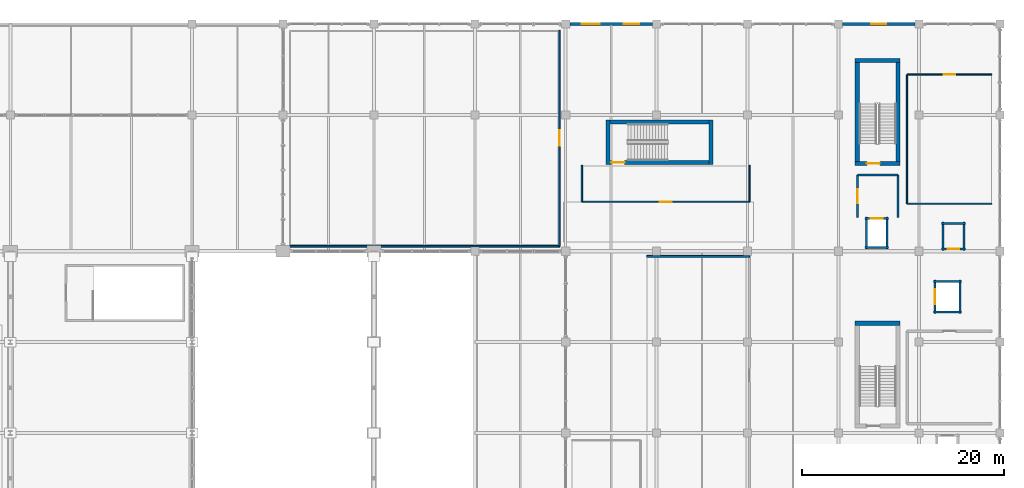
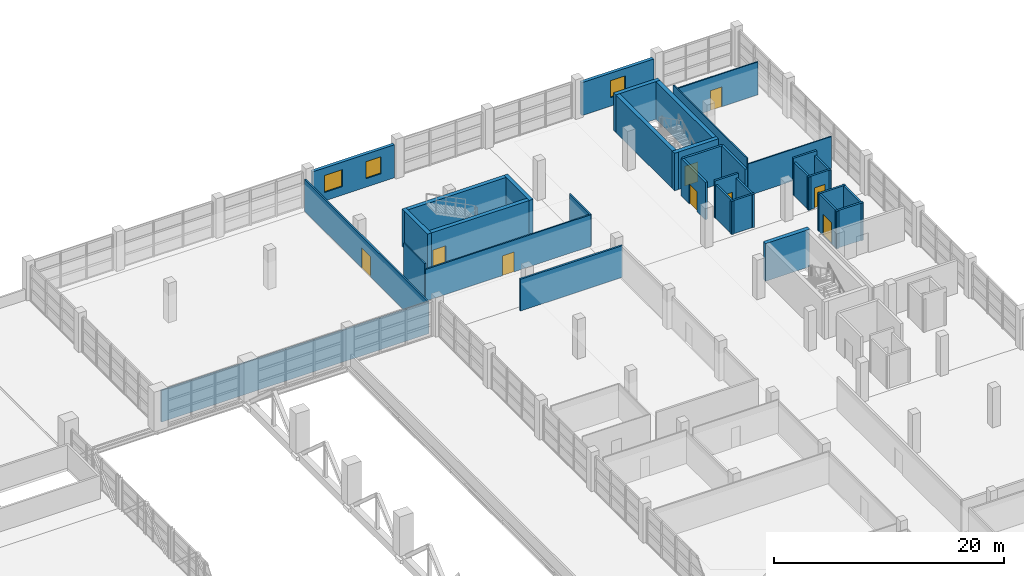
# One storey, part 123 of 136: 35 walls, 9 doors, 3 windows, 12 openings.
"""IFC4 building model written with IfcOpenShell, lengths in metres."""

from ifc_helpers import new_model, si_unit, direction, frame, frame_2d, origin, place, context, subcontext, project, spatial, rectangle, extrude, material, layer, layer_set, type_object, element, fill, save


model = new_model("IFC4")

# Units and contexts
model_context = context("Model", 3, precision=1e-05, world=origin(), true_north=direction((0.0, 1.0)))
body_context = subcontext(model_context, "Body", "Model", "MODEL_VIEW")
ifc_project = project(units=[si_unit("LENGTHUNIT", "METRE"), si_unit("AREAUNIT", "SQUARE_METRE"), si_unit("VOLUMEUNIT", "CUBIC_METRE"), si_unit("PLANEANGLEUNIT", "RADIAN"), si_unit("MASSUNIT", "GRAM", prefix="KILO")], contexts=[model_context])

# Site, building, storey
site_placement = place(None, origin())
site = spatial("IfcSite", under=ifc_project, at=site_placement, CompositionType="ELEMENT")
building_placement = place(site_placement, origin())
building = spatial("IfcBuilding", under=site, at=building_placement, Name="Chuanluo Vaults Station", CompositionType="ELEMENT")
storey_placement = place(building_placement, frame((0.0, 0.0, 6.60009765625)))
storey = spatial("IfcBuildingStorey", under=building, at=storey_placement, Name="L01", CompositionType="ELEMENT", Elevation=6.60009765625)

# Walls
ifc_material_1 = material(Name="Concrete C50", Category="concrete")
ifc_layer_1 = layer(ifc_material_1, 0.39990234375)
ifc_layer_set_1 = layer_set([ifc_layer_1], Name="Concrete C50")
wall_type_1 = type_object("IfcWallType", Name="WL-COR-400", PredefinedType="SHEAR", material=ifc_layer_set_1)
wall_1_placement = place(storey_placement, frame((178.08740234375, 96.37255859375, 0.0), z_axis=(0.0, 0.0, 1.0), x_axis=(-1.0, 0.0, 0.0)))
element("IfcWall", 1, at=wall_1_placement, inside=storey, type_object=wall_type_1, Name="Core K1 far shear wall", PredefinedType="SHEAR", context=body_context, shape_type="SweptSolid", body=[
    extrude(rectangle(XDim=4.419921875, YDim=0.39990234375, at=frame_2d((2.2099609375, 0.0))), origin(), (0.0, 0.0, 1.0), 3.97998046875),
])
for number, where, z_axis, x_axis, name in (
    (2, (177.887451171875, 111.97509765625, 0.0), (0.0, 0.0, 1.0), (0.0, 1.0, 0.0), "Core K2 left shear wall"),
    (3, (173.867431640625, 122.572509765625, 0.0), (0.0, 0.0, 1.0), (0.0, -1.0, 0.0), "Core K2 right shear wall"),
):
    element("IfcWall", number, at=place(storey_placement, frame(where, z_axis=z_axis, x_axis=x_axis)), inside=storey, type_object=wall_type_1, Name=name, PredefinedType="SHEAR", context=body_context, shape_type="SweptSolid", body=[
        extrude(rectangle(XDim=10.597412109375, YDim=0.39990234375, at=frame_2d((5.298828125, 0.0))), origin(), (0.0, 0.0, 1.0), 3.97998046875),
    ])
wall_2_placement = place(storey_placement, frame((178.08740234375, 122.37255859375, 0.0), z_axis=(0.0, 0.0, 1.0), x_axis=(-1.0, 0.0, 0.0)))
element("IfcWall", 4, at=wall_2_placement, inside=storey, type_object=wall_type_1, Name="Core K2 far shear wall", PredefinedType="SHEAR", context=body_context, shape_type="SweptSolid", body=[
    extrude(rectangle(XDim=4.419921875, YDim=0.39990234375, at=frame_2d((2.2099609375, 0.0))), origin(), (0.0, 0.0, 1.0), 3.97998046875),
])

# Wall, opening, door
wall_3_placement = place(storey_placement, frame((173.66748046875, 112.175048828125, 0.0), z_axis=(0.0, 0.0, 1.0), x_axis=(1.0, 0.0, 0.0)))
wall_3 = element("IfcWall", 5, at=wall_3_placement, inside=storey, type_object=wall_type_1, Name="Core K2 near shear wall", PredefinedType="SHEAR", context=body_context, shape_type="SweptSolid", body=[
    extrude(rectangle(XDim=4.419921875, YDim=0.39990234375, at=frame_2d((2.2099609375, 0.0))), origin(), (0.0, 0.0, 1.0), 3.97998046875),
])
opening_1_placement = place(wall_3_placement, frame((1.14990234375, 0.0, 0.0)))
opening_1 = element("IfcOpeningElement", 6, at=opening_1_placement, cuts=wall_3, Name="Opening FD-05", PredefinedType="OPENING", context=body_context, shape_type="SweptSolid", body=[
    extrude(rectangle(XDim=1.300048828125, YDim=2.10009765625, at=frame_2d((0.64990234375, 1.050048828125))), frame((0.0, 0.20995, 0.0), z_axis=(0.0, -1.0, 0.0), x_axis=(1.0, 0.0, 0.0)), (0.0, 0.0, 1.0), 0.4199),
])
ifc_material_2 = material(Name="Fire-rated steel leaf", Category="steel")
door_type_1 = type_object("IfcDoorType", Name="DR-FIR-1300x2100", OperationType="NOTDEFINED", PredefinedType="DOOR", material=ifc_material_2)
door_1_placement = place(opening_1_placement, origin())
door_1 = element("IfcDoor", 7, at=door_1_placement, inside=storey, type_object=door_type_1, Name="D-067 Stair ST-02 fire door", OperationType="SINGLE_SWING_RIGHT", OverallHeight=2.10009765625, OverallWidth=1.300048828125, PredefinedType="DOOR", context=body_context, shape_type="SweptSolid", body=[
    extrude(rectangle(XDim=1.300048828125, YDim=2.10009765625, at=frame_2d((0.64990234375, 1.050048828125))), frame((0.0, 0.02490234375, 0.0), z_axis=(0.0, -1.0, 0.0), x_axis=(1.0, 0.0, 0.0)), (0.0, 0.0, 1.0), 0.050048828125),
])
fill(opening_1, door_1)

wall_4_placement = place(storey_placement, frame((148.97509765625, 112.300048828125, 0.0), z_axis=(0.0, 0.0, 1.0), x_axis=(1.0, 0.0, 0.0)))
wall_4 = element("IfcWall", 8, at=wall_4_placement, inside=storey, type_object=wall_type_1, Name="Core K3 left shear wall", PredefinedType="SHEAR", context=body_context, shape_type="SweptSolid", body=[
    extrude(rectangle(XDim=10.597412109375, YDim=0.39990234375, at=frame_2d((5.298828125, 0.0))), origin(), (0.0, 0.0, 1.0), 3.97998046875),
])
opening_2_placement = place(wall_4_placement, frame((0.550048828125, 0.0, 0.0)))
opening_2 = element("IfcOpeningElement", 9, at=opening_2_placement, cuts=wall_4, Name="Opening FD-05", PredefinedType="OPENING", context=body_context, shape_type="SweptSolid", body=[
    extrude(rectangle(XDim=1.300048828125, YDim=2.10009765625, at=frame_2d((0.64990234375, 1.050048828125))), frame((0.0, 0.20995, 0.0), z_axis=(0.0, -1.0, 0.0), x_axis=(1.0, 0.0, 0.0)), (0.0, 0.0, 1.0), 0.4199),
])
door_2_placement = place(opening_2_placement, origin())
door_2 = element("IfcDoor", 10, at=door_2_placement, inside=storey, type_object=door_type_1, Name="D-074 Stair ST-03 fire door", OperationType="SINGLE_SWING_LEFT", OverallHeight=2.10009765625, OverallWidth=1.300048828125, PredefinedType="DOOR", context=body_context, shape_type="SweptSolid", body=[
    extrude(rectangle(XDim=1.300048828125, YDim=2.10009765625, at=frame_2d((0.64990234375, 1.050048828125))), frame((0.0, 0.02490234375, 0.0), z_axis=(0.0, -1.0, 0.0), x_axis=(1.0, 0.0, 0.0)), (0.0, 0.0, 1.0), 0.050048828125),
])
fill(opening_2, door_2)

# Walls
wall_5_placement = place(storey_placement, frame((159.572509765625, 116.320068359375, 0.0), z_axis=(0.0, 0.0, 1.0), x_axis=(-1.0, 0.0, 0.0)))
element("IfcWall", 11, at=wall_5_placement, inside=storey, type_object=wall_type_1, Name="Core K3 right shear wall", PredefinedType="SHEAR", context=body_context, shape_type="SweptSolid", body=[
    extrude(rectangle(XDim=10.597412109375, YDim=0.39990234375, at=frame_2d((5.298828125, 0.0))), origin(), (0.0, 0.0, 1.0), 3.97998046875),
])
for number, where, z_axis, x_axis, name in (
    (12, (159.37255859375, 112.10009765625, 0.0), (0.0, 0.0, 1.0), (0.0, 1.0, 0.0), "Core K3 far shear wall"),
    (13, (149.175048828125, 116.52001953125, 0.0), (0.0, 0.0, 1.0), (0.0, -1.0, 0.0), "Core K3 near shear wall"),
):
    element("IfcWall", number, at=place(storey_placement, frame(where, z_axis=z_axis, x_axis=x_axis)), inside=storey, type_object=wall_type_1, Name=name, PredefinedType="SHEAR", context=body_context, shape_type="SweptSolid", body=[
        extrude(rectangle(XDim=4.419921875, YDim=0.39990234375, at=frame_2d((2.2099609375, 0.0))), origin(), (0.0, 0.0, 1.0), 3.97998046875),
    ])

# Wall, openings, windows
ifc_material_3 = material(Name="Concrete C40", Category="concrete")
ifc_layer_2 = layer(ifc_material_3, 0.320068359375)
ifc_layer_set_2 = layer_set([ifc_layer_2], Name="Concrete C40")
wall_type_2 = type_object("IfcWallType", Name="WL-EXT-320", PredefinedType="SOLIDWALL", material=ifc_layer_set_2)
wall_6_placement = place(storey_placement, frame((145.39990234375, 126.0, 0.0), z_axis=(0.0, 0.0, 1.0), x_axis=(1.0, 0.0, 0.0)))
wall_6 = element("IfcWall", 14, at=wall_6_placement, inside=storey, type_object=wall_type_2, Name="L01 exterior punched wall 02", PredefinedType="SOLIDWALL", context=body_context, shape_type="SweptSolid", body=[
    extrude(rectangle(XDim=8.2001953125, YDim=0.320068359375, at=frame_2d((4.10009765625, 0.0))), origin(), (0.0, 0.0, 1.0), 3.494873046875),
])
opening_3_placement = place(wall_6_placement, frame((1.18994140625, 0.0, 0.89990234375)))
opening_3 = element("IfcOpeningElement", 15, at=opening_3_placement, cuts=wall_6, Name="Opening W-03", PredefinedType="OPENING", context=body_context, shape_type="SweptSolid", body=[
    extrude(rectangle(XDim=1.800048828125, YDim=1.800048828125, at=frame_2d((0.89990234375, 0.89990234375))), frame((0.0, 0.17016, 0.0), z_axis=(0.0, -1.0, 0.0), x_axis=(1.0, 0.0, 0.0)), (0.0, 0.0, 1.0), 0.34007),
])
opening_4_placement = place(wall_6_placement, frame((5.360107421875, 0.0, 0.89990234375)))
opening_4 = element("IfcOpeningElement", 16, at=opening_4_placement, cuts=wall_6, Name="Opening W-04", PredefinedType="OPENING", context=body_context, shape_type="SweptSolid", body=[
    extrude(rectangle(XDim=1.5, YDim=1.800048828125, at=frame_2d((0.75, 0.89990234375))), frame((0.0, 0.17016, 0.0), z_axis=(0.0, -1.0, 0.0), x_axis=(1.0, 0.0, 0.0)), (0.0, 0.0, 1.0), 0.34007),
])
ifc_material_4 = material(Name="Double-silver Low-E laminated glass", Category="glass")
window_type_1 = type_object("IfcWindowType", Name="WN-OPS-1500x1800", PartitioningType="SINGLE_PANEL", PredefinedType="WINDOW", material=ifc_material_4)
window_1_placement = place(opening_4_placement, origin())
window_1 = element("IfcWindow", 17, at=window_1_placement, inside=storey, type_object=window_type_1, Name="W-065 L01 facade window", OverallHeight=1.800048828125, OverallWidth=1.5, PartitioningType="SINGLE_PANEL", PredefinedType="WINDOW", context=body_context, shape_type="SweptSolid", body=[
    extrude(rectangle(XDim=1.5, YDim=1.800048828125, at=frame_2d((0.75, 0.89990234375))), frame((0.0, 0.030029296875, 0.0), z_axis=(0.0, -1.0, 0.0), x_axis=(1.0, 0.0, 0.0)), (0.0, 0.0, 1.0), 0.06005859375),
])
fill(opening_4, window_1)
ifc_material_5 = material(Name="Double-silver Low-E laminated glass", Category="glass")
window_type_2 = type_object("IfcWindowType", Name="WN-OPS-1800x1800", PartitioningType="SINGLE_PANEL", PredefinedType="WINDOW", material=ifc_material_5)
window_2_placement = place(opening_3_placement, origin())
window_2 = element("IfcWindow", 18, at=window_2_placement, inside=storey, type_object=window_type_2, Name="W-064 L01 facade window", OverallHeight=1.800048828125, OverallWidth=1.800048828125, PartitioningType="SINGLE_PANEL", PredefinedType="WINDOW", context=body_context, shape_type="SweptSolid", body=[
    extrude(rectangle(XDim=1.800048828125, YDim=1.800048828125, at=frame_2d((0.89990234375, 0.89990234375))), frame((0.0, 0.030029296875, 0.0), z_axis=(0.0, -1.0, 0.0), x_axis=(1.0, 0.0, 0.0)), (0.0, 0.0, 1.0), 0.06005859375),
])
fill(opening_3, window_2)

# Wall, opening, window
wall_7_placement = place(storey_placement, frame((172.39990234375, 126.0, 0.0), z_axis=(0.0, 0.0, 1.0), x_axis=(1.0, 0.0, 0.0)))
wall_7 = element("IfcWall", 19, at=wall_7_placement, inside=storey, type_object=wall_type_2, Name="L01 exterior punched wall 03", PredefinedType="SOLIDWALL", context=body_context, shape_type="SweptSolid", body=[
    extrude(rectangle(XDim=7.2001953125, YDim=0.320068359375, at=frame_2d((3.60009765625, 0.0))), origin(), (0.0, 0.0, 1.0), 3.494873046875),
])
opening_5_placement = place(wall_7_placement, frame((2.85009765625, 0.0, 0.89990234375)))
opening_5 = element("IfcOpeningElement", 20, at=opening_5_placement, cuts=wall_7, Name="Opening W-04", PredefinedType="OPENING", context=body_context, shape_type="SweptSolid", body=[
    extrude(rectangle(XDim=1.5, YDim=1.800048828125, at=frame_2d((0.75, 0.89990234375))), frame((0.0, 0.17016, 0.0), z_axis=(0.0, -1.0, 0.0), x_axis=(1.0, 0.0, 0.0)), (0.0, 0.0, 1.0), 0.34007),
])
window_3_placement = place(opening_5_placement, origin())
window_3 = element("IfcWindow", 21, at=window_3_placement, inside=storey, type_object=window_type_1, Name="W-066 L01 facade window", OverallHeight=1.800048828125, OverallWidth=1.5, PartitioningType="SINGLE_PANEL", PredefinedType="WINDOW", context=body_context, shape_type="SweptSolid", body=[
    extrude(rectangle(XDim=1.5, YDim=1.800048828125, at=frame_2d((0.75, 0.89990234375))), frame((0.0, 0.030029296875, 0.0), z_axis=(0.0, -1.0, 0.0), x_axis=(1.0, 0.0, 0.0)), (0.0, 0.0, 1.0), 0.06005859375),
])
fill(opening_5, window_3)

# Wall
ifc_material_6 = material(Name="Concrete C40", Category="concrete")
ifc_layer_3 = layer(ifc_material_6, 0.219970703125)
ifc_layer_set_3 = layer_set([ifc_layer_3], Name="Concrete C40")
wall_type_3 = type_object("IfcWallType", Name="WL-FIR-220", PredefinedType="SOLIDWALL", material=ifc_layer_set_3)
wall_8_placement = place(storey_placement, frame((173.89990234375, 111.050048828125, 0.0), z_axis=(0.0, 0.0, 1.0), x_axis=(1.0, 0.0, 0.0)))
element("IfcWall", 22, at=wall_8_placement, inside=storey, type_object=wall_type_3, Name="L01-FFL-K2 Firefighting Lift Lobby FFL-02 L01 N partition", PredefinedType="SOLIDWALL", context=body_context, shape_type="SweptSolid", body=[
    extrude(rectangle(XDim=4.0, YDim=0.219970703125, at=frame_2d((2.0, 0.0))), origin(), (0.0, 0.0, 1.0), 3.954833984375),
])

# Wall, opening, door
wall_9_placement = place(storey_placement, frame((173.89990234375, 106.85009765625, 0.0), z_axis=(0.0, 0.0, 1.0), x_axis=(0.0, 1.0, 0.0)))
wall_9 = element("IfcWall", 23, at=wall_9_placement, inside=storey, type_object=wall_type_3, Name="L01-FFL-K2 Firefighting Lift Lobby FFL-02 L01 W partition", PredefinedType="SOLIDWALL", context=body_context, shape_type="SweptSolid", body=[
    extrude(rectangle(XDim=4.199951171875, YDim=0.219970703125, at=frame_2d((2.10009765625, 0.0))), origin(), (0.0, 0.0, 1.0), 3.954833984375),
])
opening_6_placement = place(wall_9_placement, frame((1.39990234375, 0.0, 0.0)))
opening_6 = element("IfcOpeningElement", 24, at=opening_6_placement, cuts=wall_9, Name="Opening FD-04", PredefinedType="OPENING", context=body_context, shape_type="SweptSolid", body=[
    extrude(rectangle(XDim=1.39990234375, YDim=2.10009765625, at=frame_2d((0.699951171875, 1.050048828125))), frame((0.0, 0.11986, 0.0), z_axis=(0.0, -1.0, 0.0), x_axis=(1.0, 0.0, 0.0)), (0.0, 0.0, 1.0), 0.23997),
])
ifc_material_7 = material(Name="Fire-rated steel leaf", Category="steel")
door_type_2 = type_object("IfcDoorType", Name="DR-FIR-1400x2100", OperationType="NOTDEFINED", PredefinedType="DOOR", material=ifc_material_7)
door_3_placement = place(opening_6_placement, origin())
door_3 = element("IfcDoor", 25, at=door_3_placement, inside=storey, type_object=door_type_2, Name="D-276 Firefighting Lift Lobby FFL-02 L01 door", OperationType="SINGLE_SWING_LEFT", OverallHeight=2.10009765625, OverallWidth=1.39990234375, PredefinedType="DOOR", context=body_context, shape_type="SweptSolid", body=[
    extrude(rectangle(XDim=1.39990234375, YDim=2.10009765625, at=frame_2d((0.699951171875, 1.050048828125))), frame((0.0, 0.02490234375, 0.0), z_axis=(0.0, -1.0, 0.0), x_axis=(1.0, 0.0, 0.0)), (0.0, 0.0, 1.0), 0.050048828125),
])
fill(opening_6, door_3)

# Walls
wall_10_placement = place(storey_placement, frame((177.89990234375, 111.050048828125, 0.0), z_axis=(0.0, 0.0, 1.0), x_axis=(0.0, -1.0, 0.0)))
element("IfcWall", 26, at=wall_10_placement, inside=storey, type_object=wall_type_3, Name="L01-FFL-K2 Firefighting Lift Lobby FFL-02 L01 E partition", PredefinedType="SOLIDWALL", context=body_context, shape_type="SweptSolid", body=[
    extrude(rectangle(XDim=4.199951171875, YDim=0.219970703125, at=frame_2d((2.10009765625, 0.0))), origin(), (0.0, 0.0, 1.0), 3.954833984375),
])
ifc_material_8 = material(Name="Masonry blockwork M10", Category="masonry")
ifc_layer_4 = layer(ifc_material_8, 0.1201171875)
ifc_layer_set_4 = layer_set([ifc_layer_4], Name="Masonry blockwork M10")
wall_type_4 = type_object("IfcWallType", Name="WL-PRT-120", PredefinedType="PARTITIONING", material=ifc_layer_set_4)
wall_11_placement = place(storey_placement, frame((187.199951171875, 108.199951171875, 0.0), z_axis=(0.0, 0.0, 1.0), x_axis=(-1.0, 0.0, 0.0)))
element("IfcWall", 27, at=wall_11_placement, inside=storey, type_object=wall_type_4, Name="L01-23 North-East Crew Rostering Suite S partition", PredefinedType="PARTITIONING", context=body_context, shape_type="SweptSolid", body=[
    extrude(rectangle(XDim=8.39990234375, YDim=0.1201171875, at=frame_2d((4.199951171875, 0.0))), origin(), (0.0, 0.0, 1.0), 3.35498046875),
])

# Wall, opening, door
wall_12_placement = place(storey_placement, frame((178.800048828125, 121.0, 0.0), z_axis=(0.0, 0.0, 1.0), x_axis=(1.0, 0.0, 0.0)))
wall_12 = element("IfcWall", 28, at=wall_12_placement, inside=storey, type_object=wall_type_4, Name="L01-23 North-East Crew Rostering Suite N partition", PredefinedType="PARTITIONING", context=body_context, shape_type="SweptSolid", body=[
    extrude(rectangle(XDim=8.39990234375, YDim=0.1201171875, at=frame_2d((4.199951171875, 0.0))), origin(), (0.0, 0.0, 1.0), 3.494873046875),
])
opening_7_placement = place(wall_12_placement, frame((3.625, 0.0, 0.0)))
opening_7 = element("IfcOpeningElement", 29, at=opening_7_placement, cuts=wall_12, Name="Opening D-I06", PredefinedType="OPENING", context=body_context, shape_type="SweptSolid", body=[
    extrude(rectangle(XDim=1.14990234375, YDim=2.10009765625, at=frame_2d((0.574951171875, 1.050048828125))), frame((0.0, 0.07006, 0.0), z_axis=(0.0, -1.0, 0.0), x_axis=(1.0, 0.0, 0.0)), (0.0, 0.0, 1.0), 0.14012),
])
ifc_material_9 = material(Name="Anodised aluminium 6063-T6", Category="aluminium")
door_type_3 = type_object("IfcDoorType", Name="DR-INT-1150x2100", OperationType="NOTDEFINED", PredefinedType="DOOR", material=ifc_material_9)
door_4_placement = place(opening_7_placement, origin())
door_4 = element("IfcDoor", 30, at=door_4_placement, inside=storey, type_object=door_type_3, Name="D-196 North-East Crew Rostering Suite door", OperationType="SINGLE_SWING_LEFT", OverallHeight=2.10009765625, OverallWidth=1.14990234375, PredefinedType="DOOR", context=body_context, shape_type="SweptSolid", body=[
    extrude(rectangle(XDim=1.14990234375, YDim=2.10009765625, at=frame_2d((0.574951171875, 1.050048828125))), frame((0.0, 0.02490234375, 0.0), z_axis=(0.0, -1.0, 0.0), x_axis=(1.0, 0.0, 0.0)), (0.0, 0.0, 1.0), 0.050048828125),
])
fill(opening_7, door_4)

# Wall
wall_13_placement = place(storey_placement, frame((178.800048828125, 108.199951171875, 0.0), z_axis=(0.0, 0.0, 1.0), x_axis=(0.0, 1.0, 0.0)))
element("IfcWall", 31, at=wall_13_placement, inside=storey, type_object=wall_type_4, Name="L01-23 North-East Crew Rostering Suite W partition", PredefinedType="PARTITIONING", context=body_context, shape_type="SweptSolid", body=[
    extrude(rectangle(XDim=12.800048828125, YDim=0.1201171875, at=frame_2d((6.39990234375, 0.0))), origin(), (0.0, 0.0, 1.0), 3.954833984375),
])

# Wall, opening, door
ifc_material_10 = material(Name="Autoclaved aerated concrete blockwork MU10", Category="masonry")
ifc_layer_5 = layer(ifc_material_10, 0.139892578125)
ifc_layer_set_5 = layer_set([ifc_layer_5], Name="Autoclaved aerated concrete blockwork MU10")
wall_type_5 = type_object("IfcWallType", Name="WL-PRT-140", PredefinedType="PARTITIONING", material=ifc_layer_set_5)
wall_14_placement = place(storey_placement, frame((163.199951171875, 108.39990234375, 0.0), z_axis=(0.0, 0.0, 1.0), x_axis=(-1.0, 0.0, 0.0)))
wall_14 = element("IfcWall", 32, at=wall_14_placement, inside=storey, type_object=wall_type_5, Name="L01-21 North Ticketing Accounting Office S partition", PredefinedType="PARTITIONING", context=body_context, shape_type="SweptSolid", body=[
    extrude(rectangle(XDim=16.599853515625, YDim=0.139892578125, at=frame_2d((8.2998046875, 0.0))), origin(), (0.0, 0.0, 1.0), 3.35498046875),
])
opening_8_placement = place(wall_14_placement, frame((7.72509765625, 0.0, 0.0)))
opening_8 = element("IfcOpeningElement", 33, at=opening_8_placement, cuts=wall_14, Name="Opening D-I06", PredefinedType="OPENING", context=body_context, shape_type="SweptSolid", body=[
    extrude(rectangle(XDim=1.14990234375, YDim=2.10009765625, at=frame_2d((0.574951171875, 1.050048828125))), frame((0.0, 0.07982, 0.0), z_axis=(0.0, -1.0, 0.0), x_axis=(1.0, 0.0, 0.0)), (0.0, 0.0, 1.0), 0.15989),
])
door_5_placement = place(opening_8_placement, origin())
door_5 = element("IfcDoor", 34, at=door_5_placement, inside=storey, type_object=door_type_3, Name="D-194 North Ticketing Accounting Office door", OperationType="SINGLE_SWING_LEFT", OverallHeight=2.10009765625, OverallWidth=1.14990234375, PredefinedType="DOOR", context=body_context, shape_type="SweptSolid", body=[
    extrude(rectangle(XDim=1.14990234375, YDim=2.10009765625, at=frame_2d((0.574951171875, 1.050048828125))), frame((0.0, 0.02490234375, 0.0), z_axis=(0.0, -1.0, 0.0), x_axis=(1.0, 0.0, 0.0)), (0.0, 0.0, 1.0), 0.050048828125),
])
fill(opening_8, door_5)

# Walls
wall_15_placement = place(storey_placement, frame((146.60009765625, 108.39990234375, 0.0), z_axis=(0.0, 0.0, 1.0), x_axis=(0.0, 1.0, 0.0)))
element("IfcWall", 35, at=wall_15_placement, inside=storey, type_object=wall_type_5, Name="L01-21 North Ticketing Accounting Office W partition", PredefinedType="PARTITIONING", context=body_context, shape_type="SweptSolid", body=[
    extrude(rectangle(XDim=3.60009765625, YDim=0.139892578125, at=frame_2d((1.800048828125, 0.0))), origin(), (0.0, 0.0, 1.0), 3.954833984375),
])
wall_16_placement = place(storey_placement, frame((163.199951171875, 112.0, 0.0), z_axis=(0.0, 0.0, 1.0), x_axis=(0.0, -1.0, 0.0)))
element("IfcWall", 36, at=wall_16_placement, inside=storey, type_object=wall_type_5, Name="L01-21 North Ticketing Accounting Office E partition", PredefinedType="PARTITIONING", context=body_context, shape_type="SweptSolid", body=[
    extrude(rectangle(XDim=3.60009765625, YDim=0.139892578125, at=frame_2d((1.800048828125, 0.0))), origin(), (0.0, 0.0, 1.0), 3.35498046875),
])
ifc_material_11 = material(Name="Autoclaved aerated concrete blockwork MU10", Category="masonry")
ifc_layer_6 = layer(ifc_material_11, 0.159912109375)
ifc_layer_set_6 = layer_set([ifc_layer_6], Name="Autoclaved aerated concrete blockwork MU10")
wall_type_6 = type_object("IfcWallType", Name="WL-PRT-160", PredefinedType="PARTITIONING", material=ifc_layer_set_6)
wall_17_placement = place(storey_placement, frame((144.39990234375, 104.0, 0.0), z_axis=(0.0, 0.0, 1.0), x_axis=(-1.0, 0.0, 0.0)))
element("IfcWall", 37, at=wall_17_placement, inside=storey, type_object=wall_type_6, Name="L01-05 Business Class Quiet Lounge S partition", PredefinedType="PARTITIONING", context=body_context, shape_type="SweptSolid", body=[
    extrude(rectangle(XDim=26.7998046875, YDim=0.159912109375, at=frame_2d((13.39990234375, 0.0))), origin(), (0.0, 0.0, 1.0), 3.35498046875),
])

# Wall, opening, door
wall_18_placement = place(storey_placement, frame((144.39990234375, 125.39990234375, 0.0), z_axis=(0.0, 0.0, 1.0), x_axis=(0.0, -1.0, 0.0)))
wall_18 = element("IfcWall", 38, at=wall_18_placement, inside=storey, type_object=wall_type_6, Name="L01-05 Business Class Quiet Lounge E partition", PredefinedType="PARTITIONING", context=body_context, shape_type="SweptSolid", body=[
    extrude(rectangle(XDim=21.39990234375, YDim=0.159912109375, at=frame_2d((10.699951171875, 0.0))), origin(), (0.0, 0.0, 1.0), 3.35498046875),
])
opening_9_placement = place(wall_18_placement, frame((9.925048828125, 0.0, 0.0)))
opening_9 = element("IfcOpeningElement", 39, at=opening_9_placement, cuts=wall_18, Name="Opening D-I03", PredefinedType="OPENING", context=body_context, shape_type="SweptSolid", body=[
    extrude(rectangle(XDim=1.550048828125, YDim=2.10009765625, at=frame_2d((0.77490234375, 1.050048828125))), frame((0.0, 0.09008, 0.0), z_axis=(0.0, -1.0, 0.0), x_axis=(1.0, 0.0, 0.0)), (0.0, 0.0, 1.0), 0.17991),
])
ifc_material_12 = material(Name="Anodised aluminium 6063-T6", Category="aluminium")
door_type_4 = type_object("IfcDoorType", Name="DR-INT-1550x2100", OperationType="NOTDEFINED", PredefinedType="DOOR", material=ifc_material_12)
door_6_placement = place(opening_9_placement, origin())
door_6 = element("IfcDoor", 40, at=door_6_placement, inside=storey, type_object=door_type_4, Name="D-178 Business Class Quiet Lounge door", OperationType="SINGLE_SWING_LEFT", OverallHeight=2.10009765625, OverallWidth=1.550048828125, PredefinedType="DOOR", context=body_context, shape_type="SweptSolid", body=[
    extrude(rectangle(XDim=1.550048828125, YDim=2.10009765625, at=frame_2d((0.77490234375, 1.050048828125))), frame((0.0, 0.02490234375, 0.0), z_axis=(0.0, -1.0, 0.0), x_axis=(1.0, 0.0, 0.0)), (0.0, 0.0, 1.0), 0.050048828125),
])
fill(opening_9, door_6)

# Walls
ifc_material_13 = material(Name="Autoclaved aerated concrete blockwork MU10", Category="masonry")
ifc_layer_7 = layer(ifc_material_13, 0.18994140625)
ifc_layer_set_7 = layer_set([ifc_layer_7], Name="Autoclaved aerated concrete blockwork MU10")
wall_type_7 = type_object("IfcWallType", Name="WL-PRT-190", PredefinedType="PARTITIONING", material=ifc_layer_set_7)
wall_19_placement = place(storey_placement, frame((153.0, 103.0, 0.0), z_axis=(0.0, 0.0, 1.0), x_axis=(1.0, 0.0, 0.0)))
element("IfcWall", 41, at=wall_19_placement, inside=storey, type_object=wall_type_7, Name="L01-17 Passenger Assistance and Ticketing Office N partition", PredefinedType="PARTITIONING", context=body_context, shape_type="SweptSolid", body=[
    extrude(rectangle(XDim=10.199951171875, YDim=0.18994140625, at=frame_2d((5.10009765625, 0.0))), origin(), (0.0, 0.0, 1.0), 3.35498046875),
])
ifc_material_14 = material(Name="Concrete C40", Category="concrete")
ifc_layer_8 = layer(ifc_material_14, 0.199951171875)
ifc_layer_set_8 = layer_set([ifc_layer_8], Name="Concrete C40")
wall_type_8 = type_object("IfcWallType", Name="WL-SHF-200", PredefinedType="SOLIDWALL", material=ifc_layer_set_8)
wall_20_placement = place(storey_placement, frame((174.6298828125, 103.8798828125, 0.0), z_axis=(0.0, 0.0, 1.0), x_axis=(1.0, 0.0, 0.0)))
element("IfcWall", 42, at=wall_20_placement, inside=storey, type_object=wall_type_8, Name="Lift FFL-02 shaft wall L01 -Y", PredefinedType="SOLIDWALL", context=body_context, shape_type="SweptSolid", body=[
    extrude(rectangle(XDim=2.340087890625, YDim=0.199951171875, at=frame_2d((1.169921875, 0.0))), origin(), (0.0, 0.0, 1.0), 3.514892578125),
])

# Wall, opening, door
wall_21_placement = place(storey_placement, frame((176.969970703125, 106.719970703125, 0.0), z_axis=(0.0, 0.0, 1.0), x_axis=(-1.0, 0.0, 0.0)))
wall_21 = element("IfcWall", 43, at=wall_21_placement, inside=storey, type_object=wall_type_8, Name="Lift FFL-02 shaft wall L01 +Y", PredefinedType="SOLIDWALL", context=body_context, shape_type="SweptSolid", body=[
    extrude(rectangle(XDim=2.340087890625, YDim=0.199951171875, at=frame_2d((1.169921875, 0.0))), origin(), (0.0, 0.0, 1.0), 3.954833984375),
])
opening_10_placement = place(wall_21_placement, frame((0.570068359375, 0.0, 0.0)))
opening_10 = element("IfcOpeningElement", 44, at=opening_10_placement, cuts=wall_21, Name="Opening LD-02", PredefinedType="OPENING", context=body_context, shape_type="SweptSolid", body=[
    extrude(rectangle(XDim=1.199951171875, YDim=2.14990234375, at=frame_2d((0.60009765625, 1.074951171875))), frame((0.0, 0.1101, 0.0), z_axis=(0.0, -1.0, 0.0), x_axis=(1.0, 0.0, 0.0)), (0.0, 0.0, 1.0), 0.21995),
])
ifc_material_15 = material(Name="Brushed stainless steel 304", Category="steel")
door_type_5 = type_object("IfcDoorType", Name="DR-LFT-1200x2150", OperationType="SLIDING_TO_LEFT", PredefinedType="DOOR", material=ifc_material_15)
door_7_placement = place(opening_10_placement, origin())
door_7 = element("IfcDoor", 45, at=door_7_placement, inside=storey, type_object=door_type_5, Name="LD-FFL-02-03 Lift FFL-02 sliding landing door L01", OperationType="SLIDING_TO_LEFT", OverallHeight=2.14990234375, OverallWidth=1.199951171875, PredefinedType="DOOR", context=body_context, shape_type="SweptSolid", body=[
    extrude(rectangle(XDim=1.199951171875, YDim=2.14990234375, at=frame_2d((0.60009765625, 1.074951171875))), frame((0.0, 0.02490234375, 0.0), z_axis=(0.0, -1.0, 0.0), x_axis=(1.0, 0.0, 0.0)), (0.0, 0.0, 1.0), 0.050048828125),
])
fill(opening_10, door_7)

# Walls
for number, where, z_axis, x_axis, name in (
    (46, (174.780029296875, 106.8701171875, 0.0), (0.0, 0.0, 1.0), (0.0, -1.0, 0.0), "Lift FFL-02 shaft wall L01 -X"),
    (47, (176.820068359375, 103.72998046875, 0.0), (0.0, 0.0, 1.0), (0.0, 1.0, 0.0), "Lift FFL-02 shaft wall L01 +X"),
):
    element("IfcWall", number, at=place(storey_placement, frame(where, z_axis=z_axis, x_axis=x_axis)), inside=storey, type_object=wall_type_8, Name=name, PredefinedType="SOLIDWALL", context=body_context, shape_type="SweptSolid", body=[
        extrude(rectangle(XDim=3.14013671875, YDim=0.199951171875, at=frame_2d((1.570068359375, 0.0))), origin(), (0.0, 0.0, 1.0), 3.514892578125),
    ])

# Wall, opening, door
wall_22_placement = place(storey_placement, frame((182.22998046875, 103.72998046875, 0.0), z_axis=(0.0, 0.0, 1.0), x_axis=(1.0, 0.0, 0.0)))
wall_22 = element("IfcWall", 48, at=wall_22_placement, inside=storey, type_object=wall_type_8, Name="Lift EL-04 shaft wall L01 -Y", PredefinedType="SOLIDWALL", context=body_context, shape_type="SweptSolid", body=[
    extrude(rectangle(XDim=2.340087890625, YDim=0.199951171875, at=frame_2d((1.169921875, 0.0))), origin(), (0.0, 0.0, 1.0), 3.514892578125),
])
opening_11_placement = place(wall_22_placement, frame((0.6201171875, 0.0, 0.0)))
opening_11 = element("IfcOpeningElement", 49, at=opening_11_placement, cuts=wall_22, Name="Opening LD-01", PredefinedType="OPENING", context=body_context, shape_type="SweptSolid", body=[
    extrude(rectangle(XDim=1.10009765625, YDim=2.14990234375, at=frame_2d((0.550048828125, 1.074951171875))), frame((0.0, 0.1101, 0.0), z_axis=(0.0, -1.0, 0.0), x_axis=(1.0, 0.0, 0.0)), (0.0, 0.0, 1.0), 0.21995),
])
ifc_material_16 = material(Name="Brushed stainless steel 304", Category="steel")
door_type_6 = type_object("IfcDoorType", Name="DR-LFT-1100x2150", OperationType="SLIDING_TO_LEFT", PredefinedType="DOOR", material=ifc_material_16)
door_8_placement = place(opening_11_placement, origin())
door_8 = element("IfcDoor", 50, at=door_8_placement, inside=storey, type_object=door_type_6, Name="LD-EL-04-03 Lift EL-04 sliding landing door L01", OperationType="SLIDING_TO_LEFT", OverallHeight=2.14990234375, OverallWidth=1.10009765625, PredefinedType="DOOR", context=body_context, shape_type="SweptSolid", body=[
    extrude(rectangle(XDim=1.10009765625, YDim=2.14990234375, at=frame_2d((0.550048828125, 1.074951171875))), frame((0.0, 0.02490234375, 0.0), z_axis=(0.0, -1.0, 0.0), x_axis=(1.0, 0.0, 0.0)), (0.0, 0.0, 1.0), 0.050048828125),
])
fill(opening_11, door_8)

# Walls
wall_23_placement = place(storey_placement, frame((184.570068359375, 106.27001953125, 0.0), z_axis=(0.0, 0.0, 1.0), x_axis=(-1.0, 0.0, 0.0)))
element("IfcWall", 51, at=wall_23_placement, inside=storey, type_object=wall_type_8, Name="Lift EL-04 shaft wall L01 +Y", PredefinedType="SOLIDWALL", context=body_context, shape_type="SweptSolid", body=[
    extrude(rectangle(XDim=2.340087890625, YDim=0.199951171875, at=frame_2d((1.169921875, 0.0))), origin(), (0.0, 0.0, 1.0), 3.954833984375),
])
for number, where, z_axis, x_axis, name in (
    (52, (182.3798828125, 106.419921875, 0.0), (0.0, 0.0, 1.0), (0.0, -1.0, 0.0), "Lift EL-04 shaft wall L01 -X"),
    (53, (184.419921875, 103.580078125, 0.0), (0.0, 0.0, 1.0), (0.0, 1.0, 0.0), "Lift EL-04 shaft wall L01 +X"),
):
    element("IfcWall", number, at=place(storey_placement, frame(where, z_axis=z_axis, x_axis=x_axis)), inside=storey, type_object=wall_type_8, Name=name, PredefinedType="SOLIDWALL", context=body_context, shape_type="SweptSolid", body=[
        extrude(rectangle(XDim=2.83984375, YDim=0.199951171875, at=frame_2d((1.419921875, 0.0))), origin(), (0.0, 0.0, 1.0), 3.514892578125),
    ])
for number, where, z_axis, x_axis, name in (
    (54, (181.429931640625, 97.47998046875, 0.0), (0.0, 0.0, 1.0), (1.0, 0.0, 0.0), "Lift GL-02 shaft wall L01 -Y"),
    (55, (184.169921875, 100.52001953125, 0.0), (0.0, 0.0, 1.0), (-1.0, 0.0, 0.0), "Lift GL-02 shaft wall L01 +Y"),
):
    element("IfcWall", number, at=place(storey_placement, frame(where, z_axis=z_axis, x_axis=x_axis)), inside=storey, type_object=wall_type_8, Name=name, PredefinedType="SOLIDWALL", context=body_context, shape_type="SweptSolid", body=[
        extrude(rectangle(XDim=2.739990234375, YDim=0.199951171875, at=frame_2d((1.3701171875, 0.0))), origin(), (0.0, 0.0, 1.0), 3.954833984375),
    ])

# Wall, opening, door
wall_24_placement = place(storey_placement, frame((181.580078125, 100.669921875, 0.0), z_axis=(0.0, 0.0, 1.0), x_axis=(0.0, -1.0, 0.0)))
wall_24 = element("IfcWall", 56, at=wall_24_placement, inside=storey, type_object=wall_type_8, Name="Lift GL-02 shaft wall L01 -X", PredefinedType="SOLIDWALL", context=body_context, shape_type="SweptSolid", body=[
    extrude(rectangle(XDim=3.33984375, YDim=0.199951171875, at=frame_2d((1.669921875, 0.0))), origin(), (0.0, 0.0, 1.0), 3.954833984375),
])
opening_12_placement = place(wall_24_placement, frame((0.919921875, 0.0, 0.0)))
opening_12 = element("IfcOpeningElement", 57, at=opening_12_placement, cuts=wall_24, Name="Opening LD-03", PredefinedType="OPENING", context=body_context, shape_type="SweptSolid", body=[
    extrude(rectangle(XDim=1.5, YDim=2.199951171875, at=frame_2d((0.75, 1.10009765625))), frame((0.0, 0.1101, 0.0), z_axis=(0.0, -1.0, 0.0), x_axis=(1.0, 0.0, 0.0)), (0.0, 0.0, 1.0), 0.21995),
])
ifc_material_17 = material(Name="Brushed stainless steel 304", Category="steel")
door_type_7 = type_object("IfcDoorType", Name="DR-LFT-1500x2200", OperationType="SLIDING_TO_LEFT", PredefinedType="DOOR", material=ifc_material_17)
door_9_placement = place(opening_12_placement, origin())
door_9 = element("IfcDoor", 58, at=door_9_placement, inside=storey, type_object=door_type_7, Name="LD-GL-02-03 Lift GL-02 sliding landing door L01", OperationType="SLIDING_TO_LEFT", OverallHeight=2.199951171875, OverallWidth=1.5, PredefinedType="DOOR", context=body_context, shape_type="SweptSolid", body=[
    extrude(rectangle(XDim=1.5, YDim=2.199951171875, at=frame_2d((0.75, 1.10009765625))), frame((0.0, 0.02490234375, 0.0), z_axis=(0.0, -1.0, 0.0), x_axis=(1.0, 0.0, 0.0)), (0.0, 0.0, 1.0), 0.050048828125),
])
fill(opening_12, door_9)

# Wall
wall_25_placement = place(storey_placement, frame((184.02001953125, 97.330078125, 0.0), z_axis=(0.0, 0.0, 1.0), x_axis=(0.0, 1.0, 0.0)))
element("IfcWall", 59, at=wall_25_placement, inside=storey, type_object=wall_type_8, Name="Lift GL-02 shaft wall L01 +X", PredefinedType="SOLIDWALL", context=body_context, shape_type="SweptSolid", body=[
    extrude(rectangle(XDim=3.33984375, YDim=0.199951171875, at=frame_2d((1.669921875, 0.0))), origin(), (0.0, 0.0, 1.0), 3.954833984375),
])

save(model, "model.ifc")
